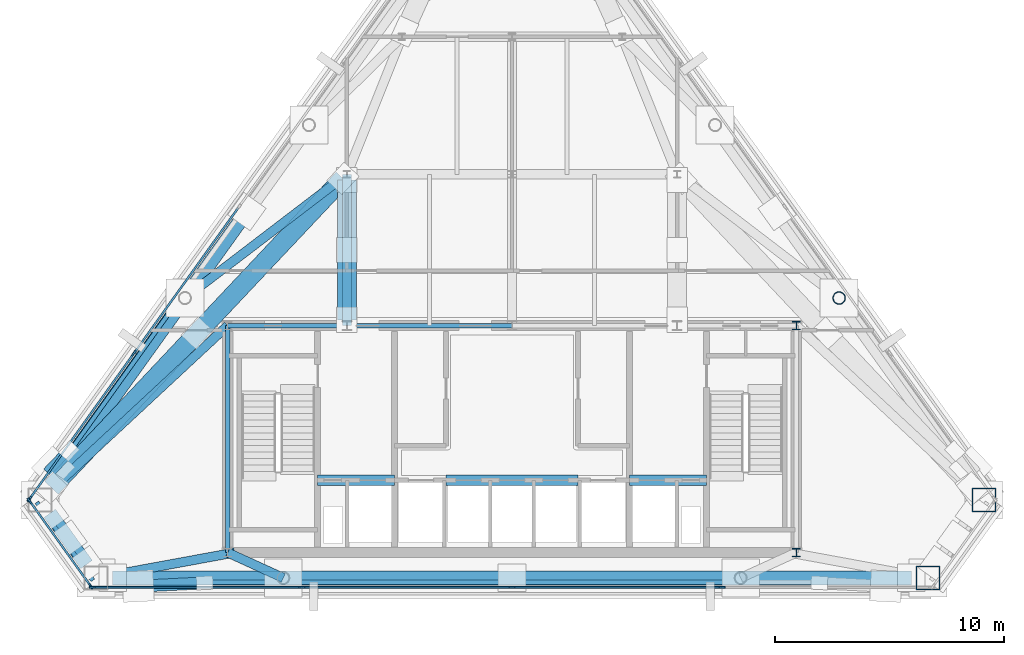
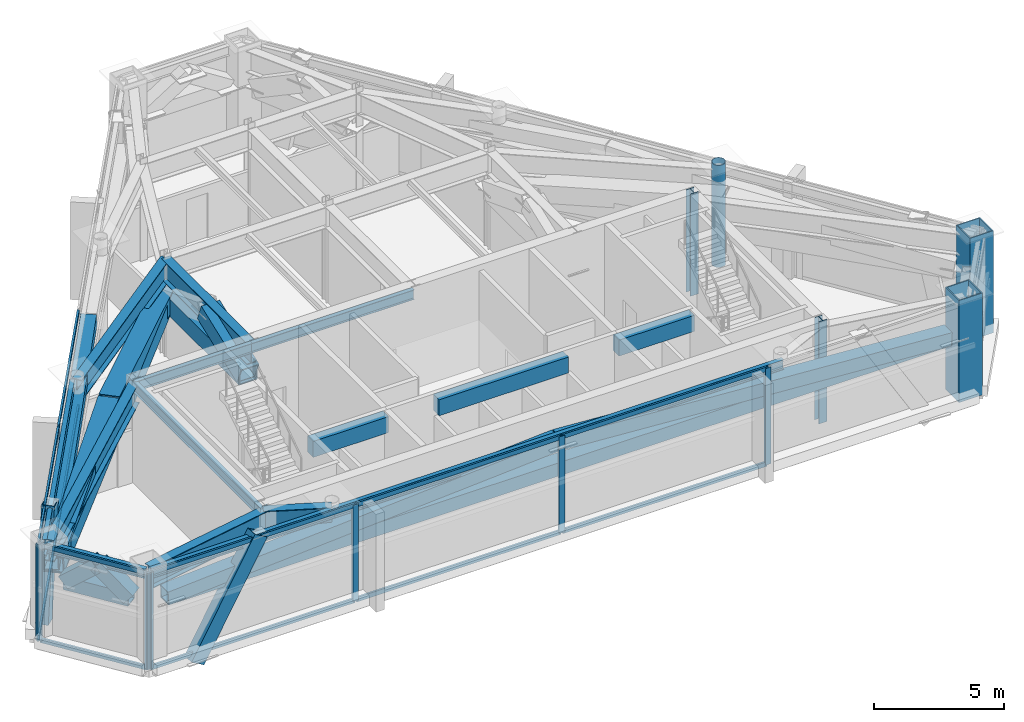
# One storey, part 2 of 9: 34 members, 15 beams, 5 columns, 3 elements without a shape of their own.
"""IFC4 building model written with IfcOpenShell, lengths in metres."""

from ifc_helpers import new_model, si_unit, direction, frame, origin, origin_2d, place, context, subcontext, project, spatial, rectangle, hollow_rectangle, hollow_circle, i_section, extrude, material, layer, layer_set, material_profile, profile_set, type_object, element, aggregate, save


model = new_model("IFC4")

# Units and contexts
model_context = context("Model", 3, precision=1e-05, world=origin(), true_north=direction((0.0, 1.0)))
body_context = subcontext(model_context, "Body", "Model", "MODEL_VIEW")
ifc_project = project(units=[si_unit("LENGTHUNIT", "METRE"), si_unit("AREAUNIT", "SQUARE_METRE"), si_unit("VOLUMEUNIT", "CUBIC_METRE"), si_unit("PLANEANGLEUNIT", "RADIAN"), si_unit("MASSUNIT", "GRAM", prefix="KILO")], contexts=[model_context])

# Site, building, storey
site_placement = place(None, origin())
site = spatial("IfcSite", under=ifc_project, at=site_placement, CompositionType="ELEMENT")
building_placement = place(site_placement, origin())
building = spatial("IfcBuilding", under=site, at=building_placement, Name="Talgorran Terracotta Tower", CompositionType="ELEMENT")
storey_placement = place(building_placement, frame((0.0, 0.0, 244.199951171875)))
storey = spatial("IfcBuildingStorey", under=building, at=storey_placement, Name="L64", CompositionType="ELEMENT", Elevation=244.199951171875)

# Columns
ifc_material_1 = material(Name="Steel S355 (300PLUS)", Category="steel")
ifc_material_profile_1 = material_profile(ifc_material_1, i_section(OverallWidth=0.35205078125, OverallDepth=0.35888671875, WebThickness=0.01806640625, FlangeThickness=0.02587890625, at=origin_2d()), Name="350WC197")
ifc_profile_set_1 = profile_set([ifc_material_profile_1], Name="Steel S355 (300PLUS)")
column_type_1 = type_object("IfcColumnType", Name="COL_350WC197", PredefinedType="COLUMN", material=ifc_profile_set_1)
for number, where, z_axis, x_axis, name in (
    (1, (12.39990234375, -14.10009765625, 0.0), (0.0, 0.0, 1.0), (1.0, 0.0, 0.0), "L64 Core Boundary Column CC2"),
    (2, (12.39990234375, -4.199951171875, 0.0), (0.0, 0.0, 1.0), (1.0, 0.0, 0.0), "L64 Core Boundary Column CC3"),
):
    element("IfcColumn", number, at=place(storey_placement, frame(where, z_axis=z_axis, x_axis=x_axis)), inside=storey, type_object=column_type_1, Name=name, PredefinedType="COLUMN", context=body_context, shape_type="SweptSolid", body=[
        extrude(i_section(OverallWidth=0.35205078125, OverallDepth=0.35888671875, WebThickness=0.01806640625, FlangeThickness=0.02587890625, at=origin_2d()), origin(), (0.0, 0.0, 1.0), 4.800048828125),
    ])
ifc_material_2 = material(Name="Steel Grade 350 (350L0)", Category="steel")
ifc_material_profile_2 = material_profile(ifc_material_2, hollow_rectangle(XDim=1.050048828125, YDim=1.050048828125, WallThickness=0.044921875, at=origin_2d()), Name="CFT1050X1050X45")
ifc_profile_set_2 = profile_set([ifc_material_profile_2], Name="Steel Grade 350 (350L0)")
column_type_2 = type_object("IfcColumnType", Name="COL_CFT_1050", PredefinedType="COLUMN", material=ifc_profile_set_2)
for number, where, z_axis, x_axis, name in (
    (3, (18.13720703125, -15.207763671875, 0.0), (0.0, 0.0, 1.0), (1.0, 0.0, 0.0), "L64 Corner CFT Mega-Column MC3"),
    (4, (20.5791015625, -11.802001953125, 0.0), (0.0, 0.0, 1.0), (1.0, 0.0, 0.0), "L64 Corner CFT Mega-Column MC4"),
):
    element("IfcColumn", number, at=place(storey_placement, frame(where, z_axis=z_axis, x_axis=x_axis)), inside=storey, type_object=column_type_2, Name=name, PredefinedType="COLUMN", context=body_context, shape_type="SweptSolid", body=[
        extrude(hollow_rectangle(XDim=1.050048828125, YDim=1.050048828125, WallThickness=0.044921875, at=origin_2d()), origin(), (0.0, 0.0, 1.0), 4.800048828125),
    ])
ifc_material_profile_3 = material_profile(ifc_material_2, hollow_circle(Radius=0.27490234375, WallThickness=0.02392578125, at=origin_2d()), Name="CHS550X24")
ifc_profile_set_3 = profile_set([ifc_material_profile_3], Name="Steel Grade 350 (350L0)")
column_type_3 = type_object("IfcColumnType", Name="COL_CHS_550", PredefinedType="COLUMN", material=ifc_profile_set_3)
column_placement = place(storey_placement, frame((14.26806640625, -2.999267578125, 0.0), z_axis=(0.0, 0.0, 1.0), x_axis=(1.0, 0.0, 0.0)))
element("IfcColumn", 5, at=column_placement, inside=storey, type_object=column_type_3, Name="L64 Facet Perimeter Column FC3", PredefinedType="COLUMN", context=body_context, shape_type="SweptSolid", body=[
    extrude(hollow_circle(Radius=0.27490234375, WallThickness=0.02392578125, at=origin_2d()), origin(), (0.0, 0.0, 1.0), 4.800048828125),
])

# Beams
ifc_material_profile_4 = material_profile(ifc_material_2, i_section(OverallWidth=0.39990234375, OverallDepth=1.0, WebThickness=0.01611328125, FlangeThickness=0.031005859375, at=origin_2d()), Name="1000WB296")
ifc_profile_set_4 = profile_set([ifc_material_profile_4], Name="Steel Grade 350 (350L0)")
beam_type_1 = type_object("IfcBeamType", Name="BM_1000WB296", PredefinedType="BEAM", material=ifc_profile_set_4)
beam_1_placement = place(storey_placement, frame((-9.9755859375, -15.207763671875, 4.045166015625), z_axis=(-0.909558570389, 0.415575753661, 0.0), x_axis=(-0.415575753661, -0.909558570389, 0.0)))
element("IfcBeam", 6, at=beam_1_placement, inside=storey, type_object=beam_type_1, Name="L64 South-West Core Tie Beam", PredefinedType="BEAM", context=body_context, shape_type="SweptSolid", body=[
    extrude(i_section(OverallWidth=0.39990234375, OverallDepth=1.0, WebThickness=0.01611328125, FlangeThickness=0.031005859375, at=origin_2d()), origin(), (0.0, 0.0, 1.0), 2.665283203125),
])
beam_2_placement = place(storey_placement, frame((-18.13720703125, -15.207763671875, 4.045166015625), z_axis=(0.983581619815, 0.180463838932, 0.0), x_axis=(-0.180463838932, 0.983581619815, 0.0)))
element("IfcBeam", 7, at=beam_2_placement, inside=storey, type_object=beam_type_1, Name="L64 Perimeter Step Girder 2", PredefinedType="BEAM", context=body_context, shape_type="SweptSolid", body=[
    extrude(i_section(OverallWidth=0.39990234375, OverallDepth=1.0, WebThickness=0.01611328125, FlangeThickness=0.031005859375, at=origin_2d()), origin(), (0.0, 0.0, 1.0), 6.137939453125),
])
beam_3_placement = place(storey_placement, frame((-7.199951171875, -4.199951171875, 4.045166015625), z_axis=(0.0, 1.0, 0.0), x_axis=(-1.0, 0.0, 0.0)))
element("IfcBeam", 8, at=beam_3_placement, inside=storey, type_object=beam_type_1, Name="L64 Floor Girder G01", PredefinedType="BEAM", context=body_context, shape_type="SweptSolid", body=[
    extrude(i_section(OverallWidth=0.39990234375, OverallDepth=1.0, WebThickness=0.01611328125, FlangeThickness=0.031005859375, at=origin_2d()), origin(), (0.0, 0.0, 1.0), 6.599853515625),
])
beam_4_placement = place(storey_placement, frame((-7.199951171875, 2.39990234375, 4.045166015625), z_axis=(-0.794675605049, -0.60703433407, 0.0), x_axis=(0.60703433407, -0.794675605049, 0.0)))
element("IfcBeam", 9, at=beam_4_placement, inside=storey, type_object=beam_type_1, Name="L64 Floor Girder G06", PredefinedType="BEAM", context=body_context, shape_type="SweptSolid", body=[
    extrude(i_section(OverallWidth=0.39990234375, OverallDepth=1.0, WebThickness=0.01611328125, FlangeThickness=0.031005859375, at=origin_2d()), origin(), (0.0, 0.0, 1.0), 8.894287109375),
])
beam_5_placement = place(storey_placement, frame((-12.39990234375, -4.199951171875, 4.045166015625), z_axis=(-0.732477257619, -0.68079150044, 0.0), x_axis=(0.68079150044, -0.732477257619, 0.0)))
element("IfcBeam", 10, at=beam_5_placement, inside=storey, type_object=beam_type_1, Name="L64 Floor Girder G17", PredefinedType="BEAM", context=body_context, shape_type="SweptSolid", body=[
    extrude(i_section(OverallWidth=0.39990234375, OverallDepth=1.0, WebThickness=0.01611328125, FlangeThickness=0.031005859375, at=origin_2d()), origin(), (0.0, 0.0, 1.0), 11.16650390625),
])
ifc_material_3 = material(Name="Concrete C50/60", Category="concrete")
ifc_material_profile_5 = material_profile(ifc_material_3, rectangle(XDim=0.449951171875, YDim=0.75, at=origin_2d()), Name="RCCB450X750")
ifc_profile_set_5 = profile_set([ifc_material_profile_5], Name="Concrete C50/60")
beam_type_2 = type_object("IfcBeamType", Name="BM_CB_450X750", PredefinedType="LINTEL", material=ifc_profile_set_5)
beam_6_placement = place(storey_placement, frame((-8.47998046875, -10.949951171875, 4.170166015625), z_axis=(1.0, 0.0, 0.0), x_axis=(0.0, 1.0, 0.0)))
element("IfcBeam", 11, at=beam_6_placement, inside=storey, type_object=beam_type_2, Name="L64 Core Shear-Wall Coupling Beam CB1", PredefinedType="LINTEL", context=body_context, shape_type="SweptSolid", body=[
    extrude(rectangle(XDim=0.449951171875, YDim=0.75, at=origin_2d()), origin(), (0.0, 0.0, 1.0), 3.35986328125),
])
beam_7_placement = place(storey_placement, frame((-2.8798828125, -10.949951171875, 4.170166015625), z_axis=(1.0, 0.0, 0.0), x_axis=(0.0, 1.0, 0.0)))
element("IfcBeam", 12, at=beam_7_placement, inside=storey, type_object=beam_type_2, Name="L64 Core Shear-Wall Coupling Beam CB2", PredefinedType="LINTEL", context=body_context, shape_type="SweptSolid", body=[
    extrude(rectangle(XDim=0.449951171875, YDim=0.75, at=origin_2d()), origin(), (0.0, 0.0, 1.0), 5.759765625),
])
beam_8_placement = place(storey_placement, frame((5.1201171875, -10.949951171875, 4.170166015625), z_axis=(1.0, 0.0, 0.0), x_axis=(0.0, 1.0, 0.0)))
element("IfcBeam", 13, at=beam_8_placement, inside=storey, type_object=beam_type_2, Name="L64 Core Shear-Wall Coupling Beam CB3", PredefinedType="LINTEL", context=body_context, shape_type="SweptSolid", body=[
    extrude(rectangle(XDim=0.449951171875, YDim=0.75, at=origin_2d()), origin(), (0.0, 0.0, 1.0), 3.35986328125),
])
ifc_material_profile_6 = material_profile(ifc_material_1, i_section(OverallWidth=0.18994140625, OverallDepth=0.45703125, WebThickness=0.009033203125, FlangeThickness=0.014404296875, at=origin_2d()), Name="460UB74.6")
ifc_profile_set_6 = profile_set([ifc_material_profile_6], Name="Steel S355 (300PLUS)")
beam_type_3 = type_object("IfcBeamType", Name="BM_SP_460UB74", PredefinedType="SPANDREL", material=ifc_profile_set_6)
beam_9_placement = place(storey_placement, frame((-20.725341796875, -11.906982421875, 4.316650390625), z_axis=(0.582692129248, -0.812692981705, 0.0), x_axis=(0.812692981705, 0.582692129248, 0.0)))
element("IfcBeam", 14, at=beam_9_placement, inside=storey, type_object=beam_type_3, Name="L64 Perimeter Spandrel Beam MC1-MC2", PredefinedType="SPANDREL", context=body_context, shape_type="SweptSolid", body=[
    extrude(i_section(OverallWidth=0.18994140625, OverallDepth=0.45703125, WebThickness=0.009033203125, FlangeThickness=0.014404296875, at=origin_2d()), origin(), (0.0, 0.0, 1.0), 4.190673828125),
])
beam_10_placement = place(storey_placement, frame((-18.13720703125, -15.3876953125, 4.316650390625), z_axis=(1.0, 0.0, 0.0), x_axis=(0.0, 1.0, 0.0)))
element("IfcBeam", 15, at=beam_10_placement, inside=storey, type_object=beam_type_3, Name="L64 Perimeter Spandrel Beam MC2-FC1", PredefinedType="SPANDREL", context=body_context, shape_type="SweptSolid", body=[
    extrude(i_section(OverallWidth=0.18994140625, OverallDepth=0.45703125, WebThickness=0.009033203125, FlangeThickness=0.014404296875, at=origin_2d()), origin(), (0.0, 0.0, 1.0), 8.16162109375),
])
beam_11_placement = place(storey_placement, frame((-9.9755859375, -15.3876953125, 4.316650390625), z_axis=(1.0, 0.0, 0.0), x_axis=(0.0, 1.0, 0.0)))
element("IfcBeam", 16, at=beam_11_placement, inside=storey, type_object=beam_type_3, Name="L64 Perimeter Spandrel Beam FC1-FC2", PredefinedType="SPANDREL", context=body_context, shape_type="SweptSolid", body=[
    extrude(i_section(OverallWidth=0.18994140625, OverallDepth=0.45703125, WebThickness=0.009033203125, FlangeThickness=0.014404296875, at=origin_2d()), origin(), (0.0, 0.0, 1.0), 19.951171875),
])
beam_12_placement = place(storey_placement, frame((-14.414306640625, -2.894287109375, 4.316650390625), z_axis=(-0.5826658635, -0.812711813321, 0.0), x_axis=(0.812711813321, -0.5826658635, 0.0)))
element("IfcBeam", 17, at=beam_12_placement, inside=storey, type_object=beam_type_3, Name="L64 Perimeter Spandrel Beam FC6-MC1", PredefinedType="SPANDREL", context=body_context, shape_type="SweptSolid", body=[
    extrude(i_section(OverallWidth=0.18994140625, OverallDepth=0.45703125, WebThickness=0.009033203125, FlangeThickness=0.014404296875, at=origin_2d()), origin(), (0.0, 0.0, 1.0), 10.831298828125),
])
beam_13_placement = place(storey_placement, frame((-12.39990234375, -14.10009765625, 4.316650390625), z_axis=(0.0, 1.0, 0.0), x_axis=(-1.0, 0.0, 0.0)))
element("IfcBeam", 18, at=beam_13_placement, inside=storey, type_object=beam_type_3, Name="L64 Core Frame Beam CFW", PredefinedType="SPANDREL", context=body_context, shape_type="SweptSolid", body=[
    extrude(i_section(OverallWidth=0.18994140625, OverallDepth=0.45703125, WebThickness=0.009033203125, FlangeThickness=0.014404296875, at=origin_2d()), origin(), (0.0, 0.0, 1.0), 9.900146484375),
])
beam_14_placement = place(storey_placement, frame((-12.39990234375, -4.199951171875, 4.316650390625), z_axis=(1.0, 0.0, 0.0), x_axis=(0.0, 1.0, 0.0)))
element("IfcBeam", 19, at=beam_14_placement, inside=storey, type_object=beam_type_3, Name="L64 Core Frame Beam CFN1", PredefinedType="SPANDREL", context=body_context, shape_type="SweptSolid", body=[
    extrude(i_section(OverallWidth=0.18994140625, OverallDepth=0.45703125, WebThickness=0.009033203125, FlangeThickness=0.014404296875, at=origin_2d()), origin(), (0.0, 0.0, 1.0), 5.199951171875),
])
beam_15_placement = place(storey_placement, frame((-7.199951171875, -4.199951171875, 4.316650390625), z_axis=(1.0, 0.0, 0.0), x_axis=(0.0, 1.0, 0.0)))
element("IfcBeam", 20, at=beam_15_placement, inside=storey, type_object=beam_type_3, Name="L64 Core Frame Beam CFN2", PredefinedType="SPANDREL", context=body_context, shape_type="SweptSolid", body=[
    extrude(i_section(OverallWidth=0.18994140625, OverallDepth=0.45703125, WebThickness=0.009033203125, FlangeThickness=0.014404296875, at=origin_2d()), origin(), (0.0, 0.0, 1.0), 7.199951171875),
])

# Members
ifc_material_profile_7 = material_profile(ifc_material_2, hollow_rectangle(XDim=0.6201171875, YDim=0.6201171875, WallThickness=0.034912109375, at=origin_2d()), Name="WBOX620X620X35")
ifc_profile_set_7 = profile_set([ifc_material_profile_7], Name="Steel Grade 350 (350L0)")
member_type_1 = type_object("IfcMemberType", Name="MB_BELT_CHORD", PredefinedType="CHORD", material=ifc_profile_set_7)
member_1_placement = place(storey_placement, frame((-20.159423828125, -12.38720703125, 2.920166015625), z_axis=(0.582664546564, -0.812712757484, 0.0), x_axis=(0.812712757484, 0.582664546564, 0.0)))
element("IfcMember", 21, at=member_1_placement, inside=storey, type_object=member_type_1, Name="L64 Belt Truss Chord BT1", PredefinedType="CHORD", context=body_context, shape_type="SweptSolid", body=[
    extrude(hollow_rectangle(XDim=0.6201171875, YDim=0.6201171875, WallThickness=0.034912109375, at=origin_2d()), origin(), (0.0, 0.0, 1.0), 2.750732421875),
])
member_2_placement = place(storey_placement, frame((-17.417236328125, -15.207763671875, 2.920166015625), z_axis=(1.0, 0.0, 0.0), x_axis=(0.0, 1.0, 0.0)))
element("IfcMember", 22, at=member_2_placement, inside=storey, type_object=member_type_1, Name="L64 Belt Truss Chord BT2", PredefinedType="CHORD", context=body_context, shape_type="SweptSolid", body=[
    extrude(hollow_rectangle(XDim=0.6201171875, YDim=0.6201171875, WallThickness=0.034912109375, at=origin_2d()), origin(), (0.0, 0.0, 1.0), 34.83447265625),
])
ifc_material_profile_8 = material_profile(ifc_material_2, hollow_rectangle(XDim=0.6201171875, YDim=0.6201171875, WallThickness=0.034912109375, at=origin_2d()), Name="WBOX620X620X35")
ifc_profile_set_8 = profile_set([ifc_material_profile_8], Name="Steel Grade 350 (350L0)")
member_type_2 = type_object("IfcMemberType", Name="MB_BELT_DIAG", PredefinedType="BRACE", material=ifc_profile_set_8)
member_3_placement = place(storey_placement, frame((-20.159423828125, -12.38720703125, 2.920166015625), z_axis=(0.444602609614, -0.620167808292, 0.64631293433), x_axis=(0.812724655346, 0.582647950818, 0.0)))
element("IfcMember", 23, at=member_3_placement, inside=storey, type_object=member_type_2, Name="L64 Belt Truss Diagonal BT1-1", PredefinedType="BRACE", context=body_context, shape_type="SweptSolid", body=[
    extrude(hollow_rectangle(XDim=0.6201171875, YDim=0.6201171875, WallThickness=0.034912109375, at=origin_2d()), origin(), (0.0, 0.0, 1.0), 1.80224609375),
])
member_4_placement = place(storey_placement, frame((-19.358154296875, -13.5048828125, 4.0849609375), z_axis=(0.444673932741, -0.620213809937, -0.646219717669), x_axis=(0.81270086223, 0.582681137956, 0.0)))
element("IfcMember", 24, at=member_4_placement, inside=storey, type_object=member_type_2, Name="L64 Belt Truss Diagonal BT1-2", PredefinedType="BRACE", context=body_context, shape_type="SweptSolid", body=[
    extrude(hollow_rectangle(XDim=0.6201171875, YDim=0.6201171875, WallThickness=0.034912109375, at=origin_2d()), origin(), (0.0, 0.0, 1.0), 1.802490234375),
])
for number, where, z_axis, x_axis, name in (
    (25, (-17.417236328125, -15.207763671875, 2.920166015625), (0.997771274015, 0.0, 0.066726941707), (0.0, 1.0, 0.0), "L64 Belt Truss Diagonal BT2-1"),
    (26, (0.0, -15.207763671875, 4.0849609375), (0.997771274015, 0.0, -0.066726941707), (0.0, 1.0, 0.0), "L64 Belt Truss Diagonal BT2-2"),
):
    element("IfcMember", number, at=place(storey_placement, frame(where, z_axis=z_axis, x_axis=x_axis)), inside=storey, type_object=member_type_2, Name=name, PredefinedType="BRACE", context=body_context, shape_type="SweptSolid", body=[
        extrude(hollow_rectangle(XDim=0.6201171875, YDim=0.6201171875, WallThickness=0.034912109375, at=origin_2d()), origin(), (0.0, 0.0, 1.0), 17.4560546875),
    ])
member_5_placement = place(storey_placement, frame((-11.563232421875, 0.773193359375, 4.0849609375), z_axis=(-0.580862038062, -0.81018788842, -0.078707548526), x_axis=(0.812709116152, -0.582669625537, 0.0)))
element("IfcMember", 27, at=member_5_placement, inside=storey, type_object=member_type_2, Name="L64 Belt Truss Diagonal BT6-2", PredefinedType="BRACE", context=body_context, shape_type="SweptSolid", body=[
    extrude(hollow_rectangle(XDim=0.6201171875, YDim=0.6201171875, WallThickness=0.034912109375, at=origin_2d()), origin(), (0.0, 0.0, 1.0), 14.799072265625),
])
ifc_material_profile_9 = material_profile(ifc_material_2, hollow_rectangle(XDim=0.52001953125, YDim=0.659912109375, WallThickness=0.034912109375, at=origin_2d()), Name="WBOX660X520X35")
ifc_profile_set_9 = profile_set([ifc_material_profile_9], Name="Steel Grade 350 (350L0)")
member_type_3 = type_object("IfcMemberType", Name="MB_MEGA_660", PredefinedType="BRACE", material=ifc_profile_set_9)
member_6_placement = place(storey_placement, frame((-16.306640625, -15.56787109375, -0.33984375), z_axis=(0.508700121682, 0.02533230754, 0.86057100834), x_axis=(-0.049736484364, 0.998762375204, 0.0)))
element("IfcMember", 28, at=member_6_placement, inside=storey, type_object=member_type_3, Name="L64 Exterior Face Mega-Brace MB-3 (SWF)", PredefinedType="BRACE", context=body_context, shape_type="SweptSolid", body=[
    extrude(hollow_rectangle(XDim=0.52001953125, YDim=0.659912109375, WallThickness=0.034912109375, at=origin_2d()), origin(), (0.0, 0.0, 1.0), 5.705322265625),
])
member_7_placement = place(storey_placement, frame((-20.01611328125, -10.39892578125, -0.33984375), z_axis=(0.139245513565, 0.145625773194, 0.979491613611), x_axis=(-0.72276259012, 0.691096403061, 0.0)))
element("IfcMember", 29, at=member_7_placement, inside=storey, type_object=member_type_3, Name="L64 Exterior Face Mega-Brace MB-3 (NWL)", PredefinedType="BRACE", context=body_context, shape_type="SweptSolid", body=[
    extrude(hollow_rectangle(XDim=0.52001953125, YDim=0.659912109375, WallThickness=0.034912109375, at=origin_2d()), origin(), (0.0, 0.0, 1.0), 5.0126953125),
])
ifc_material_profile_10 = material_profile(ifc_material_2, hollow_rectangle(XDim=0.820068359375, YDim=0.820068359375, WallThickness=0.044921875, at=origin_2d()), Name="WBOX820X820X45")
ifc_profile_set_10 = profile_set([ifc_material_profile_10], Name="Steel Grade 350 (350L0)")
member_type_4 = type_object("IfcMemberType", Name="MB_OUT_CHORD", PredefinedType="CHORD", material=ifc_profile_set_10)
member_8_placement = place(storey_placement, frame((-7.199951171875, -3.949951171875, 2.920166015625), z_axis=(0.0, 1.0, 0.0), x_axis=(-1.0, 0.0, 0.0)))
element("IfcMember", 30, at=member_8_placement, inside=storey, type_object=member_type_4, Name="L64 Outrigger Bottom Chord OR1", PredefinedType="CHORD", context=body_context, shape_type="SweptSolid", body=[
    extrude(hollow_rectangle(XDim=0.820068359375, YDim=0.820068359375, WallThickness=0.044921875, at=origin_2d()), origin(), (0.0, 0.0, 1.0), 6.099853515625),
])
member_9_placement = place(storey_placement, frame((-7.371337890625, 2.218017578125, 2.920166015625), z_axis=(-0.685704705185, -0.727879837121, 0.0), x_axis=(0.727879837121, -0.685704705185, 0.0)))
element("IfcMember", 31, at=member_9_placement, inside=storey, type_object=member_type_4, Name="L64 Outrigger Bottom Chord OR3", PredefinedType="CHORD", context=body_context, shape_type="SweptSolid", body=[
    extrude(hollow_rectangle(XDim=0.820068359375, YDim=0.820068359375, WallThickness=0.044921875, at=origin_2d()), origin(), (0.0, 0.0, 1.0), 18.541259765625),
])
ifc_material_profile_11 = material_profile(ifc_material_2, hollow_rectangle(XDim=0.820068359375, YDim=0.820068359375, WallThickness=0.044921875, at=origin_2d()), Name="WBOX820X820X45")
ifc_profile_set_11 = profile_set([ifc_material_profile_11], Name="Steel Grade 350 (350L0)")
member_type_5 = type_object("IfcMemberType", Name="MB_OUT_DIAG", PredefinedType="BRACE", material=ifc_profile_set_11)
member_10_placement = place(storey_placement, frame((-7.199951171875, -3.949951171875, 2.920166015625), z_axis=(0.0, 0.934194824711, 0.356763268126), x_axis=(-1.0, 0.0, 0.0)))
element("IfcMember", 32, at=member_10_placement, inside=storey, type_object=member_type_5, Name="L64 Outrigger Web Diagonal OR1-1", PredefinedType="BRACE", context=body_context, shape_type="SweptSolid", body=[
    extrude(hollow_rectangle(XDim=0.820068359375, YDim=0.820068359375, WallThickness=0.044921875, at=origin_2d()), origin(), (0.0, 0.0, 1.0), 3.264892578125),
])
member_11_placement = place(storey_placement, frame((-7.371337890625, 2.218017578125, 2.920166015625), z_axis=(-0.680363229905, -0.722195156288, 0.124659663193), x_axis=(0.727872884498, -0.685712085363, 0.0)))
element("IfcMember", 33, at=member_11_placement, inside=storey, type_object=member_type_5, Name="L64 Outrigger Web Diagonal OR3-1", PredefinedType="BRACE", context=body_context, shape_type="SweptSolid", body=[
    extrude(hollow_rectangle(XDim=0.820068359375, YDim=0.820068359375, WallThickness=0.044921875, at=origin_2d()), origin(), (0.0, 0.0, 1.0), 9.34375),
])
member_12_placement = place(storey_placement, frame((-13.728515625, -4.530029296875, 4.0849609375), z_axis=(-0.680347999679, -0.722208332877, -0.124666447996), x_axis=(0.727886790054, -0.685697324528, 0.0)))
element("IfcMember", 34, at=member_12_placement, inside=storey, type_object=member_type_5, Name="L64 Outrigger Web Diagonal OR3-2", PredefinedType="BRACE", context=body_context, shape_type="SweptSolid", body=[
    extrude(hollow_rectangle(XDim=0.820068359375, YDim=0.820068359375, WallThickness=0.044921875, at=origin_2d()), origin(), (0.0, 0.0, 1.0), 9.34326171875),
])

# Curtain wall, members
ifc_material_4 = material(Name="Anodised Aluminium Louvre", Category="aluminium")
ifc_layer = layer(ifc_material_4, 0.25, Name="CW_SYS4_LOUVRE")
ifc_layer_set = layer_set([ifc_layer], Name="Anodised Aluminium Louvre")
curtain_wall_type = type_object("IfcCurtainWallType", Name="CW_SYS4_LOUVRE", PredefinedType="NOTDEFINED", material=ifc_layer_set)
curtain_wall_1_placement = place(storey_placement, origin())
curtain_wall_1 = element("IfcCurtainWall", 35, at=curtain_wall_1_placement, inside=storey, type_object=curtain_wall_type, Name="CW-L64-F0", PredefinedType="NOTDEFINED")
ifc_material_5 = material(Name="Architectural Aluminium 6063-T6", Category="aluminium")
ifc_material_profile_12 = material_profile(ifc_material_5, rectangle(XDim=0.0849609375, YDim=0.260009765625, at=origin_2d()), Name="CWM85X260")
ifc_profile_set_12 = profile_set([ifc_material_profile_12], Name="Architectural Aluminium 6063-T6")
member_type_6 = type_object("IfcMemberType", Name="MUL_85X260", PredefinedType="MULLION", material=ifc_profile_set_12)
member_13_placement = place(storey_placement, frame((-21.04638671875, -11.83642578125, 0.0), z_axis=(0.0, 0.0, 1.0), x_axis=(0.812714993724, 0.582661427396, 0.0)))
member_13 = element("IfcMember", 36, at=member_13_placement, type_object=member_type_6, Name="CW-L64-0 mullion 1", PredefinedType="MULLION", context=body_context, shape_type="SweptSolid", body=[
    extrude(rectangle(XDim=0.0849609375, YDim=0.260009765625, at=origin_2d()), origin(), (0.0, 0.0, 1.0), 4.545166015625),
])
member_14_placement = place(storey_placement, frame((-18.367431640625, -15.5732421875, 0.0), z_axis=(0.0, 0.0, 1.0), x_axis=(0.812714993724, 0.582661427396, 0.0)))
member_14 = element("IfcMember", 37, at=member_14_placement, type_object=member_type_6, Name="CW-L64-0 mullion 2", PredefinedType="MULLION", context=body_context, shape_type="SweptSolid", body=[
    extrude(rectangle(XDim=0.0849609375, YDim=0.260009765625, at=origin_2d()), origin(), (0.0, 0.0, 1.0), 4.545166015625),
])

curtain_wall_2_placement = place(storey_placement, origin())
curtain_wall_2 = element("IfcCurtainWall", 38, at=curtain_wall_2_placement, inside=storey, type_object=curtain_wall_type, Name="CW-L64-F1", PredefinedType="NOTDEFINED")
member_15_placement = place(storey_placement, frame((-18.300048828125, -15.60791015625, 0.0), z_axis=(0.0, 0.0, 1.0), x_axis=(0.0, 1.0, 0.0)))
member_15 = element("IfcMember", 39, at=member_15_placement, type_object=member_type_6, Name="CW-L64-1 mullion 1", PredefinedType="MULLION", context=body_context, shape_type="SweptSolid", body=[
    extrude(rectangle(XDim=0.0849609375, YDim=0.260009765625, at=origin_2d()), origin(), (0.0, 0.0, 1.0), 4.545166015625),
])
member_16_placement = place(storey_placement, frame((-9.17138671875, -15.60791015625, 0.0), z_axis=(0.0, 0.0, 1.0), x_axis=(0.0, 1.0, 0.0)))
member_16 = element("IfcMember", 40, at=member_16_placement, type_object=member_type_6, Name="CW-L64-1 mullion 2", PredefinedType="MULLION", context=body_context, shape_type="SweptSolid", body=[
    extrude(rectangle(XDim=0.0849609375, YDim=0.260009765625, at=origin_2d()), origin(), (0.0, 0.0, 1.0), 4.545166015625),
])
member_17_placement = place(storey_placement, frame((0.0, -15.60791015625, 0.0), z_axis=(0.0, 0.0, 1.0), x_axis=(0.0, 1.0, 0.0)))
member_17 = element("IfcMember", 41, at=member_17_placement, type_object=member_type_6, Name="CW-L64-1 mullion 3", PredefinedType="MULLION", context=body_context, shape_type="SweptSolid", body=[
    extrude(rectangle(XDim=0.0849609375, YDim=0.260009765625, at=origin_2d()), origin(), (0.0, 0.0, 1.0), 4.545166015625),
])
member_18_placement = place(storey_placement, frame((9.17138671875, -15.60791015625, 0.0), z_axis=(0.0, 0.0, 1.0), x_axis=(0.0, 1.0, 0.0)))
member_18 = element("IfcMember", 42, at=member_18_placement, type_object=member_type_6, Name="CW-L64-1 mullion 4", PredefinedType="MULLION", context=body_context, shape_type="SweptSolid", body=[
    extrude(rectangle(XDim=0.0849609375, YDim=0.260009765625, at=origin_2d()), origin(), (0.0, 0.0, 1.0), 4.545166015625),
])

curtain_wall_3_placement = place(storey_placement, origin())
curtain_wall_3 = element("IfcCurtainWall", 43, at=curtain_wall_3_placement, inside=storey, type_object=curtain_wall_type, Name="CW-L64-F5", PredefinedType="NOTDEFINED")
member_19_placement = place(storey_placement, frame((-16.491455078125, -5.414306640625, 0.0), z_axis=(0.0, 0.0, 1.0), x_axis=(0.812712644972, -0.582664703498, 0.0)))
member_19 = element("IfcMember", 44, at=member_19_placement, type_object=member_type_6, Name="CW-L64-5 mullion 4", PredefinedType="MULLION", context=body_context, shape_type="SweptSolid", body=[
    extrude(rectangle(XDim=0.0849609375, YDim=0.260009765625, at=origin_2d()), origin(), (0.0, 0.0, 1.0), 4.545166015625),
])
member_20_placement = place(storey_placement, frame((-21.04638671875, -11.767578125, 0.0), z_axis=(0.0, 0.0, 1.0), x_axis=(0.812712644972, -0.582664703498, 0.0)))
member_20 = element("IfcMember", 45, at=member_20_placement, type_object=member_type_6, Name="CW-L64-5 mullion 5", PredefinedType="MULLION", context=body_context, shape_type="SweptSolid", body=[
    extrude(rectangle(XDim=0.0849609375, YDim=0.260009765625, at=origin_2d()), origin(), (0.0, 0.0, 1.0), 4.545166015625),
])

# Member
ifc_material_profile_13 = material_profile(ifc_material_5, rectangle(XDim=0.0849609375, YDim=0.2099609375, at=origin_2d()), Name="CWT85X210")
ifc_profile_set_13 = profile_set([ifc_material_profile_13], Name="Architectural Aluminium 6063-T6")
member_type_7 = type_object("IfcMemberType", Name="TRN_85X210", PredefinedType="USERDEFINED", material=ifc_profile_set_13)
member_21_placement = place(storey_placement, frame((-21.021484375, -11.87109375, 0.04248046875), z_axis=(0.582644625683, -0.812727039149, 0.0), x_axis=(0.812727039149, 0.582644625683, 0.0)))
member_21 = element("IfcMember", 46, at=member_21_placement, type_object=member_type_7, Name="CW-L64-0 transom 1.1", ObjectType="TRANSOM", PredefinedType="USERDEFINED", context=body_context, shape_type="SweptSolid", body=[
    extrude(rectangle(XDim=0.0849609375, YDim=0.2099609375, at=origin_2d()), origin(), (0.0, 0.0, 1.0), 4.512939453125),
])

member_22_placement = place(storey_placement, frame((-21.021484375, -11.87109375, 4.50244140625), z_axis=(0.582644625683, -0.812727039149, 0.0), x_axis=(0.812727039149, 0.582644625683, 0.0)))
member_22 = element("IfcMember", 47, at=member_22_placement, type_object=member_type_7, Name="CW-L64-0 transom 1.2", ObjectType="TRANSOM", PredefinedType="USERDEFINED", context=body_context, shape_type="SweptSolid", body=[
    extrude(rectangle(XDim=0.0849609375, YDim=0.2099609375, at=origin_2d()), origin(), (0.0, 0.0, 1.0), 4.512939453125),
])

aggregate(curtain_wall_1, [member_13, member_14, member_21, member_22])

member_23_placement = place(storey_placement, frame((-18.257568359375, -15.60791015625, 0.04248046875), z_axis=(1.0, 0.0, 0.0), x_axis=(0.0, 1.0, 0.0)))
member_23 = element("IfcMember", 48, at=member_23_placement, type_object=member_type_7, Name="CW-L64-1 transom 1.1", ObjectType="TRANSOM", PredefinedType="USERDEFINED", context=body_context, shape_type="SweptSolid", body=[
    extrude(rectangle(XDim=0.0849609375, YDim=0.2099609375, at=origin_2d()), origin(), (0.0, 0.0, 1.0), 9.043701171875),
])

member_24_placement = place(storey_placement, frame((-18.257568359375, -15.60791015625, 4.50244140625), z_axis=(1.0, 0.0, 0.0), x_axis=(0.0, 1.0, 0.0)))
member_24 = element("IfcMember", 49, at=member_24_placement, type_object=member_type_7, Name="CW-L64-1 transom 1.2", ObjectType="TRANSOM", PredefinedType="USERDEFINED", context=body_context, shape_type="SweptSolid", body=[
    extrude(rectangle(XDim=0.0849609375, YDim=0.2099609375, at=origin_2d()), origin(), (0.0, 0.0, 1.0), 9.043701171875),
])

member_25_placement = place(storey_placement, frame((-9.12890625, -15.60791015625, 0.04248046875), z_axis=(1.0, 0.0, 0.0), x_axis=(0.0, 1.0, 0.0)))
member_25 = element("IfcMember", 50, at=member_25_placement, type_object=member_type_7, Name="CW-L64-1 transom 2.1", ObjectType="TRANSOM", PredefinedType="USERDEFINED", context=body_context, shape_type="SweptSolid", body=[
    extrude(rectangle(XDim=0.0849609375, YDim=0.2099609375, at=origin_2d()), origin(), (0.0, 0.0, 1.0), 9.08642578125),
])

member_26_placement = place(storey_placement, frame((-9.12890625, -15.60791015625, 4.50244140625), z_axis=(1.0, 0.0, 0.0), x_axis=(0.0, 1.0, 0.0)))
member_26 = element("IfcMember", 51, at=member_26_placement, type_object=member_type_7, Name="CW-L64-1 transom 2.2", ObjectType="TRANSOM", PredefinedType="USERDEFINED", context=body_context, shape_type="SweptSolid", body=[
    extrude(rectangle(XDim=0.0849609375, YDim=0.2099609375, at=origin_2d()), origin(), (0.0, 0.0, 1.0), 9.08642578125),
])

member_27_placement = place(storey_placement, frame((0.04248046875, -15.60791015625, 0.04248046875), z_axis=(1.0, 0.0, 0.0), x_axis=(0.0, 1.0, 0.0)))
member_27 = element("IfcMember", 52, at=member_27_placement, type_object=member_type_7, Name="CW-L64-1 transom 3.1", ObjectType="TRANSOM", PredefinedType="USERDEFINED", context=body_context, shape_type="SweptSolid", body=[
    extrude(rectangle(XDim=0.0849609375, YDim=0.2099609375, at=origin_2d()), origin(), (0.0, 0.0, 1.0), 9.08642578125),
])

member_28_placement = place(storey_placement, frame((0.04248046875, -15.60791015625, 4.50244140625), z_axis=(1.0, 0.0, 0.0), x_axis=(0.0, 1.0, 0.0)))
member_28 = element("IfcMember", 53, at=member_28_placement, type_object=member_type_7, Name="CW-L64-1 transom 3.2", ObjectType="TRANSOM", PredefinedType="USERDEFINED", context=body_context, shape_type="SweptSolid", body=[
    extrude(rectangle(XDim=0.0849609375, YDim=0.2099609375, at=origin_2d()), origin(), (0.0, 0.0, 1.0), 9.08642578125),
])

aggregate(curtain_wall_2, [member_15, member_16, member_17, member_18, member_23, member_24, member_25, member_26, member_27, member_28])

member_29_placement = place(storey_placement, frame((-11.936767578125, 0.938720703125, 0.04248046875), z_axis=(-0.582663119582, -0.812713780539, 0.0), x_axis=(0.812713780539, -0.582663119582, 0.0)))
member_29 = element("IfcMember", 54, at=member_29_placement, type_object=member_type_7, Name="CW-L64-5 transom 3.1", ObjectType="TRANSOM", PredefinedType="USERDEFINED", context=body_context, shape_type="SweptSolid", body=[
    extrude(rectangle(XDim=0.0849609375, YDim=0.2099609375, at=origin_2d()), origin(), (0.0, 0.0, 1.0), 7.774658203125),
])

member_30_placement = place(storey_placement, frame((-11.936767578125, 0.938720703125, 4.50244140625), z_axis=(-0.582663119582, -0.812713780539, 0.0), x_axis=(0.812713780539, -0.582663119582, 0.0)))
member_30 = element("IfcMember", 55, at=member_30_placement, type_object=member_type_7, Name="CW-L64-5 transom 3.2", ObjectType="TRANSOM", PredefinedType="USERDEFINED", context=body_context, shape_type="SweptSolid", body=[
    extrude(rectangle(XDim=0.0849609375, YDim=0.2099609375, at=origin_2d()), origin(), (0.0, 0.0, 1.0), 7.774658203125),
])

member_31_placement = place(storey_placement, frame((-16.516357421875, -5.448974609375, 0.04248046875), z_axis=(-0.582659048538, -0.812716699199, 0.0), x_axis=(0.812716699199, -0.582659048538, 0.0)))
member_31 = element("IfcMember", 56, at=member_31_placement, type_object=member_type_7, Name="CW-L64-5 transom 4.1", ObjectType="TRANSOM", PredefinedType="USERDEFINED", context=body_context, shape_type="SweptSolid", body=[
    extrude(rectangle(XDim=0.0849609375, YDim=0.2099609375, at=origin_2d()), origin(), (0.0, 0.0, 1.0), 7.73193359375),
])

member_32_placement = place(storey_placement, frame((-16.516357421875, -5.448974609375, 4.50244140625), z_axis=(-0.582659048538, -0.812716699199, 0.0), x_axis=(0.812716699199, -0.582659048538, 0.0)))
member_32 = element("IfcMember", 57, at=member_32_placement, type_object=member_type_7, Name="CW-L64-5 transom 4.2", ObjectType="TRANSOM", PredefinedType="USERDEFINED", context=body_context, shape_type="SweptSolid", body=[
    extrude(rectangle(XDim=0.0849609375, YDim=0.2099609375, at=origin_2d()), origin(), (0.0, 0.0, 1.0), 7.73193359375),
])

aggregate(curtain_wall_3, [member_19, member_20, member_29, member_30, member_31, member_32])

save(model, "model.ifc")
